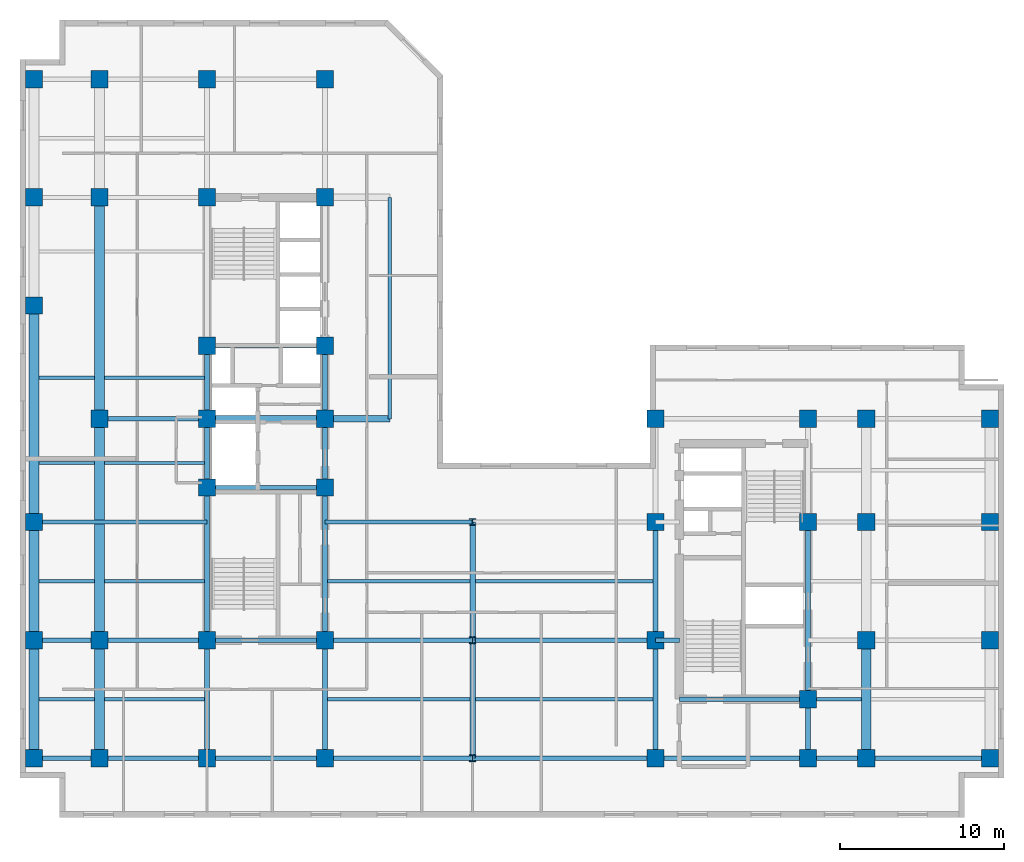
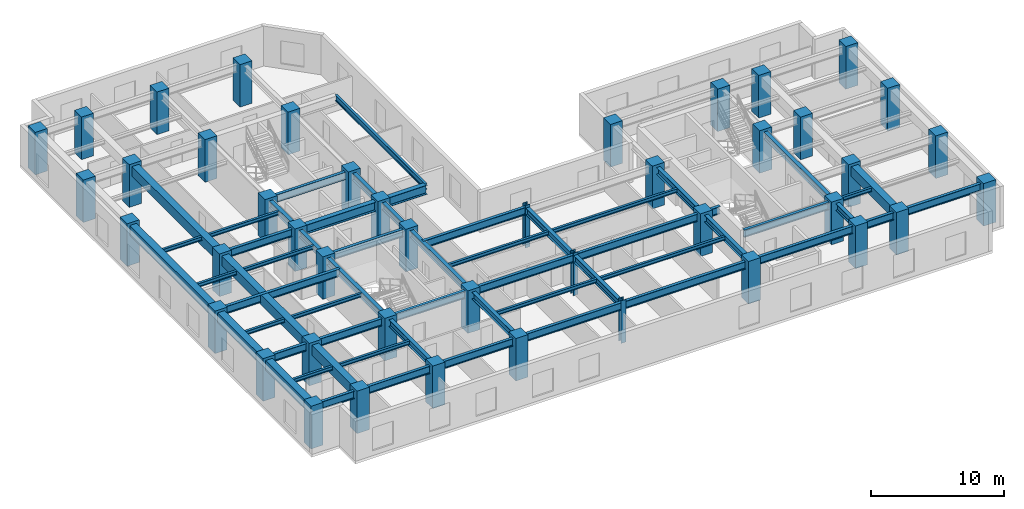
# One storey, part 1 of 10: 56 beams, 44 columns.
"""IFC4 building model written with IfcOpenShell, lengths in metres."""

import ifcopenshell
import ifcopenshell.guid

model = None  # the IFC model being written
_history = None  # IfcOwnerHistory: only IFC2X3 demands one
_inside = {}  # id of a spatial element -> (the spatial element, [elements in it])
_under = {}  # id of a project, library or spatial element -> (it, [spatial elements below it])
_declared = {}  # id of a project -> (the project, [libraries it declares])
_typed = {}  # id of a type object -> (the type object, [elements of that type])
_made_of = {}  # id of a material, layer set ... -> (it, [elements and type objects made of it])


def new_model(schema):
    """Start an empty IFC model of exactly this schema.

    Asked for "IFC4X3", IfcOpenShell would pick the latest addendum, in which some entities
    have other attributes; the version numbers below select the first issue.
    IFC2X3 requires an IfcOwnerHistory on every rooted entity: one is made here for all.
    """
    global model, _history
    if schema == "IFC4X3":
        model = ifcopenshell.file(schema_version=(4, 3, 0, 0))
    else:
        model = ifcopenshell.file(schema=schema)
    _inside.clear()
    _under.clear()
    _declared.clear()
    _typed.clear()
    _made_of.clear()
    _history = None
    if model.schema == "IFC2X3":
        org = make("IfcOrganization", Name="unknown")
        user = make(
            "IfcPersonAndOrganization",
            ThePerson=make("IfcPerson", FamilyName="unknown"),
            TheOrganization=org,
        )
        app = make(
            "IfcApplication",
            ApplicationDeveloper=org,
            Version="unknown",
            ApplicationFullName="unknown",
            ApplicationIdentifier="unknown",
        )
        _history = make(
            "IfcOwnerHistory",
            OwningUser=user,
            OwningApplication=app,
            ChangeAction="ADDED",
            CreationDate=0,
        )
    return model


def make(cls, **values):
    """One entity of the class cls with the attributes given. An attribute that is None is left unset."""
    return model.create_entity(
        cls, **{name: value for name, value in values.items() if value is not None}
    )


def entity(cls, *values):
    """Any entity or typed value of the class cls, its attributes in the order of the schema. None: left unset."""
    e = model.create_entity(cls)
    for i, value in enumerate(values):
        if value is not None:
            e[i] = value
    return e


def rooted(cls, **values):
    """An entity with a GlobalId (a new one), such as an element, a storey or a relation."""
    return make(cls, GlobalId=ifcopenshell.guid.new(), OwnerHistory=_history, **values)


def si_unit(unit_type, name, prefix=None):
    """IfcSIUnit, for example si_unit("LENGTHUNIT", "METRE", prefix="MILLI")."""
    return make("IfcSIUnit", UnitType=unit_type, Prefix=prefix, Name=name)


def converted_unit(unit_type, name, factor, base, dimensions=None, offset=None):
    """IfcConversionBasedUnit, such as the inch: factor (a typed value) times the base unit."""
    return make(
        "IfcConversionBasedUnit"
        if offset is None
        else "IfcConversionBasedUnitWithOffset",
        ConversionOffset=offset,
        Dimensions=None
        if dimensions is None
        else entity("IfcDimensionalExponents", *dimensions),
        UnitType=unit_type,
        Name=name,
        ConversionFactor=make(
            "IfcMeasureWithUnit", ValueComponent=factor, UnitComponent=base
        ),
    )


def assignment(units):
    """IfcUnitAssignment: the units of a project."""
    return None if units is None else make("IfcUnitAssignment", Units=units)


def point(xyz):
    """IfcCartesianPoint."""
    return None if xyz is None else make("IfcCartesianPoint", Coordinates=xyz)


def direction(xyz):
    """IfcDirection."""
    return None if xyz is None else make("IfcDirection", DirectionRatios=xyz)


def frame(location, z_axis=None, x_axis=None):
    """IfcAxis2Placement3D, a coordinate frame: its origin and axes. An axis left out is left unset."""
    return make(
        "IfcAxis2Placement3D",
        Location=point(location),
        Axis=direction(z_axis),
        RefDirection=direction(x_axis),
    )


def frame_2d(location, x_axis=None):
    """IfcAxis2Placement2D, a coordinate frame in the plane: its origin and x axis."""
    return make(
        "IfcAxis2Placement2D", Location=point(location), RefDirection=direction(x_axis)
    )


def origin_with_axes():
    """The frame at (0, 0, 0) with the z axis (0, 0, 1) and the x axis (1, 0, 0) written out."""
    return frame((0.0, 0.0, 0.0), z_axis=(0.0, 0.0, 1.0), x_axis=(1.0, 0.0, 0.0))


def origin_2d_with_axis():
    """The frame at (0, 0) in the plane with the x axis (1, 0) written out."""
    return frame_2d((0.0, 0.0), x_axis=(1.0, 0.0))


def place(relative_to, where):
    """IfcLocalPlacement: puts the frame where relative to a parent placement (None: the world)."""
    return make(
        "IfcLocalPlacement", PlacementRelTo=relative_to, RelativePlacement=where
    )


def context(
    kind, dimensions, precision=None, world=None, true_north=None, identifier=None
):
    """IfcGeometricRepresentationContext, for example the 3D "Model" context."""
    return make(
        "IfcGeometricRepresentationContext",
        ContextIdentifier=identifier,
        ContextType=kind,
        CoordinateSpaceDimension=dimensions,
        Precision=precision,
        WorldCoordinateSystem=world,
        TrueNorth=true_north,
    )


def subcontext(parent, identifier, kind, view, scale=None):
    """IfcGeometricRepresentationSubContext, for example "Body" below "Model"."""
    return make(
        "IfcGeometricRepresentationSubContext",
        ContextIdentifier=identifier,
        ContextType=kind,
        ParentContext=parent,
        TargetScale=scale,
        TargetView=view,
    )


def project(units=None, contexts=None):
    """IfcProject with its units and contexts."""
    return rooted(
        "IfcProject",
        Name="project",
        RepresentationContexts=contexts,
        UnitsInContext=assignment(units),
    )


def spatial(cls, under=None, at=None, **own):
    """A site, building, storey or space (cls), placed at a placement, below another one or the project."""
    s = rooted(cls, ObjectPlacement=at, **own)
    if under is not None:
        _under.setdefault(under.id(), (under, []))[1].append(s)
    return s


def profile(cls, at=None, kind="AREA", **sizes):
    """A parametric profile (cls). Its sizes go by their IFC names, for example OverallWidth=200.0."""
    return make(cls, ProfileType=kind, Position=at, **sizes)


def rectangle(**sizes):
    """IfcRectangleProfileDef."""
    return profile("IfcRectangleProfileDef", **sizes)


def i_section(**sizes):
    """IfcIShapeProfileDef."""
    return profile("IfcIShapeProfileDef", **sizes)


def extrude(swept, where, along, depth):
    """IfcExtrudedAreaSolid: the profile swept, set in the frame where, extruded along a direction by depth."""
    return make(
        "IfcExtrudedAreaSolid",
        SweptArea=swept,
        Position=where,
        ExtrudedDirection=direction(along),
        Depth=depth,
    )


def shape(context_of_items, identifier, shape_type, items):
    """IfcShapeRepresentation: the items that make up one representation, for example the "Body"."""
    return make(
        "IfcShapeRepresentation",
        ContextOfItems=context_of_items,
        RepresentationIdentifier=identifier,
        RepresentationType=shape_type,
        Items=items,
    )


def material(Name=None, Category=None):
    """IfcMaterial."""
    return make("IfcMaterial", Name=Name, Category=Category)


def material_profile(
    of_material, cross_section, Name=None, Category=None, Priority=None
):
    """IfcMaterialProfile: a cross section and its material."""
    return make(
        "IfcMaterialProfile",
        Name=Name,
        Material=of_material,
        Profile=cross_section,
        Priority=Priority,
        Category=Category,
    )


def profile_set(profiles, Name=None, composite=None):
    """IfcMaterialProfileSet."""
    return make(
        "IfcMaterialProfileSet",
        Name=Name,
        MaterialProfiles=profiles,
        CompositeProfile=composite,
    )


def made_of(thing, what):
    """Note that an element or type object is made of a material, layer set ...; save() writes the relation."""
    if what is not None:
        _made_of.setdefault(what.id(), (what, []))[1].append(thing)
    return thing


def type_object(cls, material=None, **own):
    """A type object (cls), such as IfcWallType, which elements share."""
    return made_of(rooted(cls, **own), material)


def element(
    cls,
    number,
    at=None,
    inside=None,
    cuts=None,
    type_object=None,
    material=None,
    context=None,
    identifier="Body",
    shape_type=None,
    held_by="IfcProductDefinitionShape",
    body=None,
    shapes=None,
    **own,
):
    """One element of the class cls, such as IfcWall. Its Tag is "e" and its number.

    at: its placement. inside: the storey or other place that contains it. cuts: it is an
    opening in that element (IfcRelVoidsElement). A single representation is given by context,
    identifier, shape_type and body (its items); several are given by shapes. held_by: the class
    of the entity that holds the representations. save() writes the other relations.
    """
    e = rooted(cls, Tag="e%d" % number, ObjectPlacement=at, **own)
    if body is not None:
        shapes = [shape(context, identifier, shape_type, body)]
    if shapes is not None:
        e.Representation = make(held_by, Representations=shapes)
    if inside is not None:
        _inside.setdefault(inside.id(), (inside, []))[1].append(e)
    if cuts is not None:
        rooted(
            "IfcRelVoidsElement", RelatingBuildingElement=cuts, RelatedOpeningElement=e
        )
    if type_object is not None:
        _typed.setdefault(type_object.id(), (type_object, []))[1].append(e)
    return made_of(e, material)


def aggregate(whole, parts):
    """IfcRelAggregates: a whole, such as a stair, and the parts it consists of."""
    return rooted("IfcRelAggregates", RelatingObject=whole, RelatedObjects=parts)


def save(model, path):
    """Write the relations noted so far, then the file.

    IfcRelAggregates (storeys below a building ...), IfcRelContainedInSpatialStructure (elements
    in a storey), IfcRelDefinesByType, IfcRelAssociatesMaterial and IfcRelDeclares: one each for
    every whole, place, type object, material and project.
    """
    for whole, parts in _under.values():
        aggregate(whole, parts)
    for where, things in _inside.values():
        rooted(
            "IfcRelContainedInSpatialStructure",
            RelatedElements=things,
            RelatingStructure=where,
        )
    for kind, things in _typed.values():
        rooted("IfcRelDefinesByType", RelatedObjects=things, RelatingType=kind)
    for what, things in _made_of.values():
        rooted("IfcRelAssociatesMaterial", RelatedObjects=things, RelatingMaterial=what)
    for by, libraries in _declared.values():
        rooted("IfcRelDeclares", RelatingContext=by, RelatedDefinitions=libraries)
    model.write(path)


model = new_model("IFC4")

# Units and contexts
model_context = context("Model", 3, precision=1e-05, world=origin_with_axes(), true_north=direction((0.0, 1.0)))
body_context = subcontext(model_context, "Body", "Model", "MODEL_VIEW")
ifc_project = project(units=[si_unit("LENGTHUNIT", "METRE"), si_unit("AREAUNIT", "SQUARE_METRE"), si_unit("VOLUMEUNIT", "CUBIC_METRE"), converted_unit("PLANEANGLEUNIT", "DEGREE", entity("IfcPlaneAngleMeasure", 0.017453292519943295), si_unit("PLANEANGLEUNIT", "RADIAN"), dimensions=[0, 0, 0, 0, 0, 0, 0]), si_unit("MASSUNIT", "GRAM", prefix="KILO"), si_unit("THERMODYNAMICTEMPERATUREUNIT", "KELVIN")], contexts=[model_context])

# Site, building, storey
site_placement = place(None, origin_with_axes())
site = spatial("IfcSite", under=ifc_project, at=site_placement, CompositionType="ELEMENT")
building_placement = place(site_placement, origin_with_axes())
building = spatial("IfcBuilding", under=site, at=building_placement, Name="Varnlund Millrace Tower", CompositionType="ELEMENT")
storey_placement = place(building_placement, frame((0.0, 0.0, 179.7), z_axis=(0.0, 0.0, 1.0), x_axis=(1.0, 0.0, 0.0)))
storey = spatial("IfcBuildingStorey", under=building, at=storey_placement, Name="L44", CompositionType="ELEMENT", Elevation=179.7)

# Columns
ifc_material_1 = material(Name="Steel ASTM A913 Grade 65", Category="steel")
ifc_material_profile_1 = material_profile(ifc_material_1, i_section(OverallWidth=0.406, OverallDepth=0.416, WebThickness=0.0298, FlangeThickness=0.048, FilletRadius=0.022, at=origin_2d_with_axis()), Name="Steel ASTM A913 Grade 65")
ifc_profile_set_1 = profile_set([ifc_material_profile_1], Name="Steel ASTM A913 Grade 65")
column_type_1 = type_object("IfcColumnType", Name="Type-Col-Int-W14X257", PredefinedType="COLUMN", material=ifc_profile_set_1)
for number, where, z_axis, x_axis, name in (
    (1, (27.6, 3.6, 0.0), (0.0, 0.0, 1.0), (1.0, 0.0, 0.0), "Type-Col-Int-W14X257"),
    (2, (27.6, 10.8, 0.0), (0.0, 0.0, 1.0), (1.0, 0.0, 0.0), "Type-Col-Int-W14X257"),
    (3, (27.6, 18.0, 0.0), (0.0, 0.0, 1.0), (1.0, 0.0, 0.0), "Type-Col-Int-W14X257"),
):
    element("IfcColumn", number, at=place(storey_placement, frame(where, z_axis=z_axis, x_axis=x_axis)), inside=storey, type_object=column_type_1, Name=name, PredefinedType="COLUMN", context=body_context, shape_type="SweptSolid", body=[
        extrude(i_section(OverallWidth=0.406, OverallDepth=0.416, WebThickness=0.0298, FlangeThickness=0.048, FilletRadius=0.022, at=origin_2d_with_axis()), origin_with_axes(), (0.0, 0.0, 1.0), 3.9),
    ])
ifc_material_2 = material(Name="Concrete C70/85", Category="concrete")
ifc_material_profile_2 = material_profile(ifc_material_2, rectangle(XDim=1.05, YDim=1.05, at=origin_2d_with_axis()), Name="Concrete C70/85")
ifc_profile_set_2 = profile_set([ifc_material_profile_2], Name="Concrete C70/85")
column_type_2 = type_object("IfcColumnType", Name="Type-Col-RC1050-C70", PredefinedType="COLUMN", material=ifc_profile_set_2)
for number, where, z_axis, x_axis, name in (
    (4, (11.4, 3.6, 0.0), (0.0, 0.0, 1.0), (1.0, 0.0, 0.0), "Type-Col-RC1050-C70"),
    (5, (11.4, 10.8, 0.0), (0.0, 0.0, 1.0), (1.0, 0.0, 0.0), "Type-Col-RC1050-C70"),
    (6, (11.4, 20.1, 0.0), (0.0, 0.0, 1.0), (1.0, 0.0, 0.0), "Type-Col-RC1050-C70"),
    (7, (11.4, 24.3, 0.0), (0.0, 0.0, 1.0), (1.0, 0.0, 0.0), "Type-Col-RC1050-C70"),
    (8, (11.4, 28.75, 0.0), (0.0, 0.0, 1.0), (1.0, 0.0, 0.0), "Type-Col-RC1050-C70"),
    (9, (11.4, 37.8, 0.0), (0.0, 0.0, 1.0), (1.0, 0.0, 0.0), "Type-Col-RC1050-C70"),
    (10, (11.4, 45.0, 0.0), (0.0, 0.0, 1.0), (1.0, 0.0, 0.0), "Type-Col-RC1050-C70"),
    (11, (18.6, 3.6, 0.0), (0.0, 0.0, 1.0), (1.0, 0.0, 0.0), "Type-Col-RC1050-C70"),
    (12, (18.6, 10.8, 0.0), (0.0, 0.0, 1.0), (1.0, 0.0, 0.0), "Type-Col-RC1050-C70"),
    (13, (18.6, 20.1, 0.0), (0.0, 0.0, 1.0), (1.0, 0.0, 0.0), "Type-Col-RC1050-C70"),
    (14, (18.6, 24.3, 0.0), (0.0, 0.0, 1.0), (1.0, 0.0, 0.0), "Type-Col-RC1050-C70"),
    (15, (18.6, 28.75, 0.0), (0.0, 0.0, 1.0), (1.0, 0.0, 0.0), "Type-Col-RC1050-C70"),
    (16, (18.6, 37.8, 0.0), (0.0, 0.0, 1.0), (1.0, 0.0, 0.0), "Type-Col-RC1050-C70"),
    (17, (18.6, 45.0, 0.0), (0.0, 0.0, 1.0), (1.0, 0.0, 0.0), "Type-Col-RC1050-C70"),
    (18, (4.85, 3.6, 0.0), (0.0, 0.0, 1.0), (1.0, 0.0, 0.0), "Type-Col-RC1050-C70"),
    (19, (4.85, 10.8, 0.0), (0.0, 0.0, 1.0), (1.0, 0.0, 0.0), "Type-Col-RC1050-C70"),
    (20, (4.85, 24.3, 0.0), (0.0, 0.0, 1.0), (1.0, 0.0, 0.0), "Type-Col-RC1050-C70"),
    (21, (4.85, 37.8, 0.0), (0.0, 0.0, 1.0), (1.0, 0.0, 0.0), "Type-Col-RC1050-C70"),
    (22, (4.85, 45.0, 0.0), (0.0, 0.0, 1.0), (1.0, 0.0, 0.0), "Type-Col-RC1050-C70"),
    (23, (0.85, 3.6, 0.0), (0.0, 0.0, 1.0), (1.0, 0.0, 0.0), "Type-Col-RC1050-C70"),
    (24, (0.85, 10.8, 0.0), (0.0, 0.0, 1.0), (1.0, 0.0, 0.0), "Type-Col-RC1050-C70"),
    (25, (0.85, 18.0, 0.0), (0.0, 0.0, 1.0), (1.0, 0.0, 0.0), "Type-Col-RC1050-C70"),
    (26, (0.85, 31.2, 0.0), (0.0, 0.0, 1.0), (1.0, 0.0, 0.0), "Type-Col-RC1050-C70"),
    (27, (0.85, 37.8, 0.0), (0.0, 0.0, 1.0), (1.0, 0.0, 0.0), "Type-Col-RC1050-C70"),
    (28, (0.85, 45.0, 0.0), (0.0, 0.0, 1.0), (1.0, 0.0, 0.0), "Type-Col-RC1050-C70"),
    (29, (38.75, 3.6, 0.0), (0.0, 0.0, 1.0), (1.0, 0.0, 0.0), "Type-Col-RC1050-C70"),
    (30, (38.75, 10.8, 0.0), (0.0, 0.0, 1.0), (1.0, 0.0, 0.0), "Type-Col-RC1050-C70"),
    (31, (38.75, 18.0, 0.0), (0.0, 0.0, 1.0), (1.0, 0.0, 0.0), "Type-Col-RC1050-C70"),
    (32, (38.75, 24.3, 0.0), (0.0, 0.0, 1.0), (1.0, 0.0, 0.0), "Type-Col-RC1050-C70"),
    (33, (48.05, 3.6, 0.0), (0.0, 0.0, 1.0), (1.0, 0.0, 0.0), "Type-Col-RC1050-C70"),
    (34, (48.05, 7.2, 0.0), (0.0, 0.0, 1.0), (1.0, 0.0, 0.0), "Type-Col-RC1050-C70"),
    (35, (48.05, 18.0, 0.0), (0.0, 0.0, 1.0), (1.0, 0.0, 0.0), "Type-Col-RC1050-C70"),
    (36, (48.05, 24.3, 0.0), (0.0, 0.0, 1.0), (1.0, 0.0, 0.0), "Type-Col-RC1050-C70"),
    (37, (51.6, 3.6, 0.0), (0.0, 0.0, 1.0), (1.0, 0.0, 0.0), "Type-Col-RC1050-C70"),
    (38, (51.6, 10.8, 0.0), (0.0, 0.0, 1.0), (1.0, 0.0, 0.0), "Type-Col-RC1050-C70"),
    (39, (51.6, 18.0, 0.0), (0.0, 0.0, 1.0), (1.0, 0.0, 0.0), "Type-Col-RC1050-C70"),
    (40, (51.6, 24.3, 0.0), (0.0, 0.0, 1.0), (1.0, 0.0, 0.0), "Type-Col-RC1050-C70"),
    (41, (59.15, 3.6, 0.0), (0.0, 0.0, 1.0), (1.0, 0.0, 0.0), "Type-Col-RC1050-C70"),
    (42, (59.15, 10.8, 0.0), (0.0, 0.0, 1.0), (1.0, 0.0, 0.0), "Type-Col-RC1050-C70"),
    (43, (59.15, 18.0, 0.0), (0.0, 0.0, 1.0), (1.0, 0.0, 0.0), "Type-Col-RC1050-C70"),
    (44, (59.15, 24.3, 0.0), (0.0, 0.0, 1.0), (1.0, 0.0, 0.0), "Type-Col-RC1050-C70"),
):
    element("IfcColumn", number, at=place(storey_placement, frame(where, z_axis=z_axis, x_axis=x_axis)), inside=storey, type_object=column_type_2, Name=name, PredefinedType="COLUMN", context=body_context, shape_type="SweptSolid", body=[
        extrude(rectangle(XDim=1.05, YDim=1.05, at=origin_2d_with_axis()), origin_with_axes(), (0.0, 0.0, 1.0), 3.9),
    ])

# Beams
ifc_material_3 = material(Name="Steel ASTM A992 Grade 50", Category="steel")
ifc_material_profile_3 = material_profile(ifc_material_3, i_section(OverallWidth=0.209, OverallDepth=0.533, WebThickness=0.0102, FlangeThickness=0.0156, FilletRadius=0.014, at=origin_2d_with_axis()), Name="Steel ASTM A992 Grade 50")
ifc_profile_set_3 = profile_set([ifc_material_profile_3], Name="Steel ASTM A992 Grade 50")
beam_type_1 = type_object("IfcBeamType", Name="Type-Beam-W21X62", PredefinedType="BEAM", material=ifc_profile_set_3)
beam_1_placement = place(storey_placement, frame((22.55, 24.3, 3.3935), z_axis=(0.0, 1.0, 0.0), x_axis=(-1.0, 0.0, 0.0)))
element("IfcBeam", 45, at=beam_1_placement, inside=storey, type_object=beam_type_1, Name="Type-Beam-W21X62", PredefinedType="BEAM", context=body_context, shape_type="SweptSolid", body=[
    extrude(i_section(OverallWidth=0.209, OverallDepth=0.533, WebThickness=0.0102, FlangeThickness=0.0156, FilletRadius=0.014, at=origin_2d_with_axis()), origin_with_axes(), (0.0, 0.0, 1.0), 13.5),
])
ifc_material_profile_4 = material_profile(ifc_material_3, i_section(OverallWidth=0.328, OverallDepth=0.628, WebThickness=0.0165, FlangeThickness=0.0277, FilletRadius=0.018, at=origin_2d_with_axis()), Name="Steel ASTM A992 Grade 50")
ifc_profile_set_4 = profile_set([ifc_material_profile_4], Name="Steel ASTM A992 Grade 50")
beam_type_2 = type_object("IfcBeamType", Name="Type-Girder-W24X146", PredefinedType="USERDEFINED", material=ifc_profile_set_4)
beam_2_placement = place(storey_placement, frame((11.4, 3.6, 3.346), z_axis=(0.0, 1.0, 0.0), x_axis=(-1.0, 0.0, 0.0)))
element("IfcBeam", 46, at=beam_2_placement, inside=storey, type_object=beam_type_2, Name="Type-Girder-W24X146", ObjectType="GIRDER", PredefinedType="USERDEFINED", context=body_context, shape_type="SweptSolid", body=[
    extrude(i_section(OverallWidth=0.328, OverallDepth=0.628, WebThickness=0.0165, FlangeThickness=0.0277, FilletRadius=0.018, at=origin_2d_with_axis()), origin_with_axes(), (0.0, 0.0, 1.0), 7.2),
])
beam_3_placement = place(storey_placement, frame((11.4, 10.8, 3.346), z_axis=(0.0, 1.0, 0.0), x_axis=(-1.0, 0.0, 0.0)))
element("IfcBeam", 47, at=beam_3_placement, inside=storey, type_object=beam_type_2, Name="Type-Girder-W24X146", ObjectType="GIRDER", PredefinedType="USERDEFINED", context=body_context, shape_type="SweptSolid", body=[
    extrude(i_section(OverallWidth=0.328, OverallDepth=0.628, WebThickness=0.0165, FlangeThickness=0.0277, FilletRadius=0.018, at=origin_2d_with_axis()), origin_with_axes(), (0.0, 0.0, 1.0), 9.3),
])
beam_4_placement = place(storey_placement, frame((11.4, 20.1, 3.346), z_axis=(0.0, 1.0, 0.0), x_axis=(-1.0, 0.0, 0.0)))
element("IfcBeam", 48, at=beam_4_placement, inside=storey, type_object=beam_type_2, Name="Type-Girder-W24X146", ObjectType="GIRDER", PredefinedType="USERDEFINED", context=body_context, shape_type="SweptSolid", body=[
    extrude(i_section(OverallWidth=0.328, OverallDepth=0.628, WebThickness=0.0165, FlangeThickness=0.0277, FilletRadius=0.018, at=origin_2d_with_axis()), origin_with_axes(), (0.0, 0.0, 1.0), 4.2),
])
beam_5_placement = place(storey_placement, frame((11.4, 24.3, 3.346), z_axis=(0.0, 1.0, 0.0), x_axis=(-1.0, 0.0, 0.0)))
element("IfcBeam", 49, at=beam_5_placement, inside=storey, type_object=beam_type_2, Name="Type-Girder-W24X146", ObjectType="GIRDER", PredefinedType="USERDEFINED", context=body_context, shape_type="SweptSolid", body=[
    extrude(i_section(OverallWidth=0.328, OverallDepth=0.628, WebThickness=0.0165, FlangeThickness=0.0277, FilletRadius=0.018, at=origin_2d_with_axis()), origin_with_axes(), (0.0, 0.0, 1.0), 4.45),
])
beam_6_placement = place(storey_placement, frame((18.6, 3.6, 3.346), z_axis=(0.0, 1.0, 0.0), x_axis=(-1.0, 0.0, 0.0)))
element("IfcBeam", 50, at=beam_6_placement, inside=storey, type_object=beam_type_2, Name="Type-Girder-W24X146", ObjectType="GIRDER", PredefinedType="USERDEFINED", context=body_context, shape_type="SweptSolid", body=[
    extrude(i_section(OverallWidth=0.328, OverallDepth=0.628, WebThickness=0.0165, FlangeThickness=0.0277, FilletRadius=0.018, at=origin_2d_with_axis()), origin_with_axes(), (0.0, 0.0, 1.0), 7.2),
])
beam_7_placement = place(storey_placement, frame((18.6, 10.8, 3.346), z_axis=(0.0, 1.0, 0.0), x_axis=(-1.0, 0.0, 0.0)))
element("IfcBeam", 51, at=beam_7_placement, inside=storey, type_object=beam_type_2, Name="Type-Girder-W24X146", ObjectType="GIRDER", PredefinedType="USERDEFINED", context=body_context, shape_type="SweptSolid", body=[
    extrude(i_section(OverallWidth=0.328, OverallDepth=0.628, WebThickness=0.0165, FlangeThickness=0.0277, FilletRadius=0.018, at=origin_2d_with_axis()), origin_with_axes(), (0.0, 0.0, 1.0), 9.3),
])
beam_8_placement = place(storey_placement, frame((18.6, 20.1, 3.346), z_axis=(0.0, 1.0, 0.0), x_axis=(-1.0, 0.0, 0.0)))
element("IfcBeam", 52, at=beam_8_placement, inside=storey, type_object=beam_type_2, Name="Type-Girder-W24X146", ObjectType="GIRDER", PredefinedType="USERDEFINED", context=body_context, shape_type="SweptSolid", body=[
    extrude(i_section(OverallWidth=0.328, OverallDepth=0.628, WebThickness=0.0165, FlangeThickness=0.0277, FilletRadius=0.018, at=origin_2d_with_axis()), origin_with_axes(), (0.0, 0.0, 1.0), 4.2),
])
beam_9_placement = place(storey_placement, frame((18.6, 24.3, 3.346), z_axis=(0.0, 1.0, 0.0), x_axis=(-1.0, 0.0, 0.0)))
element("IfcBeam", 53, at=beam_9_placement, inside=storey, type_object=beam_type_2, Name="Type-Girder-W24X146", ObjectType="GIRDER", PredefinedType="USERDEFINED", context=body_context, shape_type="SweptSolid", body=[
    extrude(i_section(OverallWidth=0.328, OverallDepth=0.628, WebThickness=0.0165, FlangeThickness=0.0277, FilletRadius=0.018, at=origin_2d_with_axis()), origin_with_axes(), (0.0, 0.0, 1.0), 4.45),
])
for number, where, z_axis, x_axis, name in (
    (54, (27.6, 3.6, 3.346), (0.0, 1.0, 0.0), (-1.0, 0.0, 0.0), "Type-Girder-W24X146"),
    (55, (27.6, 10.8, 3.346), (0.0, 1.0, 0.0), (-1.0, 0.0, 0.0), "Type-Girder-W24X146"),
    (56, (38.75, 3.6, 3.346), (0.0, 1.0, 0.0), (-1.0, 0.0, 0.0), "Type-Girder-W24X146"),
    (57, (38.75, 10.8, 3.346), (0.0, 1.0, 0.0), (-1.0, 0.0, 0.0), "Type-Girder-W24X146"),
):
    element("IfcBeam", number, at=place(storey_placement, frame(where, z_axis=z_axis, x_axis=x_axis)), inside=storey, type_object=beam_type_2, Name=name, ObjectType="GIRDER", PredefinedType="USERDEFINED", context=body_context, shape_type="SweptSolid", body=[
        extrude(i_section(OverallWidth=0.328, OverallDepth=0.628, WebThickness=0.0165, FlangeThickness=0.0277, FilletRadius=0.018, at=origin_2d_with_axis()), origin_with_axes(), (0.0, 0.0, 1.0), 7.2),
    ])
beam_10_placement = place(storey_placement, frame((48.05, 3.6, 3.346), z_axis=(0.0, 1.0, 0.0), x_axis=(-1.0, 0.0, 0.0)))
element("IfcBeam", 58, at=beam_10_placement, inside=storey, type_object=beam_type_2, Name="Type-Girder-W24X146", ObjectType="GIRDER", PredefinedType="USERDEFINED", context=body_context, shape_type="SweptSolid", body=[
    extrude(i_section(OverallWidth=0.328, OverallDepth=0.628, WebThickness=0.0165, FlangeThickness=0.0277, FilletRadius=0.018, at=origin_2d_with_axis()), origin_with_axes(), (0.0, 0.0, 1.0), 3.6),
])
beam_11_placement = place(storey_placement, frame((48.05, 7.2, 3.346), z_axis=(0.0, 1.0, 0.0), x_axis=(-1.0, 0.0, 0.0)))
element("IfcBeam", 59, at=beam_11_placement, inside=storey, type_object=beam_type_2, Name="Type-Girder-W24X146", ObjectType="GIRDER", PredefinedType="USERDEFINED", context=body_context, shape_type="SweptSolid", body=[
    extrude(i_section(OverallWidth=0.328, OverallDepth=0.628, WebThickness=0.0165, FlangeThickness=0.0277, FilletRadius=0.018, at=origin_2d_with_axis()), origin_with_axes(), (0.0, 0.0, 1.0), 10.8),
])
ifc_material_profile_5 = material_profile(ifc_material_3, i_section(OverallWidth=0.256, OverallDepth=0.693, WebThickness=0.0145, FlangeThickness=0.0236, FilletRadius=0.018, at=origin_2d_with_axis()), Name="Steel ASTM A992 Grade 50")
ifc_profile_set_5 = profile_set([ifc_material_profile_5], Name="Steel ASTM A992 Grade 50")
beam_type_3 = type_object("IfcBeamType", Name="Type-Girder-W27X114", PredefinedType="USERDEFINED", material=ifc_profile_set_5)
beam_12_placement = place(storey_placement, frame((0.85, 3.6, 3.3135), z_axis=(1.0, 0.0, 0.0), x_axis=(0.0, 1.0, 0.0)))
element("IfcBeam", 60, at=beam_12_placement, inside=storey, type_object=beam_type_3, Name="Type-Girder-W27X114", ObjectType="GIRDER", PredefinedType="USERDEFINED", context=body_context, shape_type="SweptSolid", body=[
    extrude(i_section(OverallWidth=0.256, OverallDepth=0.693, WebThickness=0.0145, FlangeThickness=0.0236, FilletRadius=0.018, at=origin_2d_with_axis()), origin_with_axes(), (0.0, 0.0, 1.0), 4.0),
])
beam_13_placement = place(storey_placement, frame((4.85, 3.6, 3.3135), z_axis=(1.0, 0.0, 0.0), x_axis=(0.0, 1.0, 0.0)))
element("IfcBeam", 61, at=beam_13_placement, inside=storey, type_object=beam_type_3, Name="Type-Girder-W27X114", ObjectType="GIRDER", PredefinedType="USERDEFINED", context=body_context, shape_type="SweptSolid", body=[
    extrude(i_section(OverallWidth=0.256, OverallDepth=0.693, WebThickness=0.0145, FlangeThickness=0.0236, FilletRadius=0.018, at=origin_2d_with_axis()), origin_with_axes(), (0.0, 0.0, 1.0), 6.55),
])
beam_14_placement = place(storey_placement, frame((11.4, 3.6, 3.3135), z_axis=(1.0, 0.0, 0.0), x_axis=(0.0, 1.0, 0.0)))
element("IfcBeam", 62, at=beam_14_placement, inside=storey, type_object=beam_type_3, Name="Type-Girder-W27X114", ObjectType="GIRDER", PredefinedType="USERDEFINED", context=body_context, shape_type="SweptSolid", body=[
    extrude(i_section(OverallWidth=0.256, OverallDepth=0.693, WebThickness=0.0145, FlangeThickness=0.0236, FilletRadius=0.018, at=origin_2d_with_axis()), origin_with_axes(), (0.0, 0.0, 1.0), 7.2),
])
beam_15_placement = place(storey_placement, frame((18.6, 3.6, 3.3135), z_axis=(1.0, 0.0, 0.0), x_axis=(0.0, 1.0, 0.0)))
element("IfcBeam", 63, at=beam_15_placement, inside=storey, type_object=beam_type_3, Name="Type-Girder-W27X114", ObjectType="GIRDER", PredefinedType="USERDEFINED", context=body_context, shape_type="SweptSolid", body=[
    extrude(i_section(OverallWidth=0.256, OverallDepth=0.693, WebThickness=0.0145, FlangeThickness=0.0236, FilletRadius=0.018, at=origin_2d_with_axis()), origin_with_axes(), (0.0, 0.0, 1.0), 9.0),
])
beam_16_placement = place(storey_placement, frame((27.6, 3.6, 3.3135), z_axis=(1.0, 0.0, 0.0), x_axis=(0.0, 1.0, 0.0)))
element("IfcBeam", 64, at=beam_16_placement, inside=storey, type_object=beam_type_3, Name="Type-Girder-W27X114", ObjectType="GIRDER", PredefinedType="USERDEFINED", context=body_context, shape_type="SweptSolid", body=[
    extrude(i_section(OverallWidth=0.256, OverallDepth=0.693, WebThickness=0.0145, FlangeThickness=0.0236, FilletRadius=0.018, at=origin_2d_with_axis()), origin_with_axes(), (0.0, 0.0, 1.0), 11.15),
])
beam_17_placement = place(storey_placement, frame((38.75, 3.6, 3.3135), z_axis=(1.0, 0.0, 0.0), x_axis=(0.0, 1.0, 0.0)))
element("IfcBeam", 65, at=beam_17_placement, inside=storey, type_object=beam_type_3, Name="Type-Girder-W27X114", ObjectType="GIRDER", PredefinedType="USERDEFINED", context=body_context, shape_type="SweptSolid", body=[
    extrude(i_section(OverallWidth=0.256, OverallDepth=0.693, WebThickness=0.0145, FlangeThickness=0.0236, FilletRadius=0.018, at=origin_2d_with_axis()), origin_with_axes(), (0.0, 0.0, 1.0), 9.3),
])
beam_18_placement = place(storey_placement, frame((48.05, 3.6, 3.3135), z_axis=(1.0, 0.0, 0.0), x_axis=(0.0, 1.0, 0.0)))
element("IfcBeam", 66, at=beam_18_placement, inside=storey, type_object=beam_type_3, Name="Type-Girder-W27X114", ObjectType="GIRDER", PredefinedType="USERDEFINED", context=body_context, shape_type="SweptSolid", body=[
    extrude(i_section(OverallWidth=0.256, OverallDepth=0.693, WebThickness=0.0145, FlangeThickness=0.0236, FilletRadius=0.018, at=origin_2d_with_axis()), origin_with_axes(), (0.0, 0.0, 1.0), 3.55),
])
beam_19_placement = place(storey_placement, frame((51.6, 3.6, 3.3135), z_axis=(1.0, 0.0, 0.0), x_axis=(0.0, 1.0, 0.0)))
element("IfcBeam", 67, at=beam_19_placement, inside=storey, type_object=beam_type_3, Name="Type-Girder-W27X114", ObjectType="GIRDER", PredefinedType="USERDEFINED", context=body_context, shape_type="SweptSolid", body=[
    extrude(i_section(OverallWidth=0.256, OverallDepth=0.693, WebThickness=0.0145, FlangeThickness=0.0236, FilletRadius=0.018, at=origin_2d_with_axis()), origin_with_axes(), (0.0, 0.0, 1.0), 7.55),
])
beam_20_placement = place(storey_placement, frame((40.2, 7.2, 3.3135), z_axis=(1.0, 0.0, 0.0), x_axis=(0.0, 1.0, 0.0)))
element("IfcBeam", 68, at=beam_20_placement, inside=storey, type_object=beam_type_3, Name="Type-Girder-W27X114", ObjectType="GIRDER", PredefinedType="USERDEFINED", context=body_context, shape_type="SweptSolid", body=[
    extrude(i_section(OverallWidth=0.256, OverallDepth=0.693, WebThickness=0.0145, FlangeThickness=0.0236, FilletRadius=0.018, at=origin_2d_with_axis()), origin_with_axes(), (0.0, 0.0, 1.0), 7.85),
])
beam_21_placement = place(storey_placement, frame((0.85, 10.8, 3.3135), z_axis=(1.0, 0.0, 0.0), x_axis=(0.0, 1.0, 0.0)))
element("IfcBeam", 69, at=beam_21_placement, inside=storey, type_object=beam_type_3, Name="Type-Girder-W27X114", ObjectType="GIRDER", PredefinedType="USERDEFINED", context=body_context, shape_type="SweptSolid", body=[
    extrude(i_section(OverallWidth=0.256, OverallDepth=0.693, WebThickness=0.0145, FlangeThickness=0.0236, FilletRadius=0.018, at=origin_2d_with_axis()), origin_with_axes(), (0.0, 0.0, 1.0), 4.0),
])
beam_22_placement = place(storey_placement, frame((4.85, 10.8, 3.3135), z_axis=(1.0, 0.0, 0.0), x_axis=(0.0, 1.0, 0.0)))
element("IfcBeam", 70, at=beam_22_placement, inside=storey, type_object=beam_type_3, Name="Type-Girder-W27X114", ObjectType="GIRDER", PredefinedType="USERDEFINED", context=body_context, shape_type="SweptSolid", body=[
    extrude(i_section(OverallWidth=0.256, OverallDepth=0.693, WebThickness=0.0145, FlangeThickness=0.0236, FilletRadius=0.018, at=origin_2d_with_axis()), origin_with_axes(), (0.0, 0.0, 1.0), 6.55),
])
beam_23_placement = place(storey_placement, frame((11.4, 10.8, 3.3135), z_axis=(1.0, 0.0, 0.0), x_axis=(0.0, 1.0, 0.0)))
element("IfcBeam", 71, at=beam_23_placement, inside=storey, type_object=beam_type_3, Name="Type-Girder-W27X114", ObjectType="GIRDER", PredefinedType="USERDEFINED", context=body_context, shape_type="SweptSolid", body=[
    extrude(i_section(OverallWidth=0.256, OverallDepth=0.693, WebThickness=0.0145, FlangeThickness=0.0236, FilletRadius=0.018, at=origin_2d_with_axis()), origin_with_axes(), (0.0, 0.0, 1.0), 7.2),
])
beam_24_placement = place(storey_placement, frame((18.6, 10.8, 3.3135), z_axis=(1.0, 0.0, 0.0), x_axis=(0.0, 1.0, 0.0)))
element("IfcBeam", 72, at=beam_24_placement, inside=storey, type_object=beam_type_3, Name="Type-Girder-W27X114", ObjectType="GIRDER", PredefinedType="USERDEFINED", context=body_context, shape_type="SweptSolid", body=[
    extrude(i_section(OverallWidth=0.256, OverallDepth=0.693, WebThickness=0.0145, FlangeThickness=0.0236, FilletRadius=0.018, at=origin_2d_with_axis()), origin_with_axes(), (0.0, 0.0, 1.0), 9.0),
])
beam_25_placement = place(storey_placement, frame((27.6, 10.8, 3.3135), z_axis=(1.0, 0.0, 0.0), x_axis=(0.0, 1.0, 0.0)))
element("IfcBeam", 73, at=beam_25_placement, inside=storey, type_object=beam_type_3, Name="Type-Girder-W27X114", ObjectType="GIRDER", PredefinedType="USERDEFINED", context=body_context, shape_type="SweptSolid", body=[
    extrude(i_section(OverallWidth=0.256, OverallDepth=0.693, WebThickness=0.0145, FlangeThickness=0.0236, FilletRadius=0.018, at=origin_2d_with_axis()), origin_with_axes(), (0.0, 0.0, 1.0), 11.15),
])
beam_26_placement = place(storey_placement, frame((38.75, 10.8, 3.3135), z_axis=(1.0, 0.0, 0.0), x_axis=(0.0, 1.0, 0.0)))
element("IfcBeam", 74, at=beam_26_placement, inside=storey, type_object=beam_type_3, Name="Type-Girder-W27X114", ObjectType="GIRDER", PredefinedType="USERDEFINED", context=body_context, shape_type="SweptSolid", body=[
    extrude(i_section(OverallWidth=0.256, OverallDepth=0.693, WebThickness=0.0145, FlangeThickness=0.0236, FilletRadius=0.018, at=origin_2d_with_axis()), origin_with_axes(), (0.0, 0.0, 1.0), 1.45),
])
beam_27_placement = place(storey_placement, frame((0.85, 18.0, 3.3135), z_axis=(1.0, 0.0, 0.0), x_axis=(0.0, 1.0, 0.0)))
element("IfcBeam", 75, at=beam_27_placement, inside=storey, type_object=beam_type_3, Name="Type-Girder-W27X114", ObjectType="GIRDER", PredefinedType="USERDEFINED", context=body_context, shape_type="SweptSolid", body=[
    extrude(i_section(OverallWidth=0.256, OverallDepth=0.693, WebThickness=0.0145, FlangeThickness=0.0236, FilletRadius=0.018, at=origin_2d_with_axis()), origin_with_axes(), (0.0, 0.0, 1.0), 10.55),
])
beam_28_placement = place(storey_placement, frame((18.6, 18.0, 3.3135), z_axis=(1.0, 0.0, 0.0), x_axis=(0.0, 1.0, 0.0)))
element("IfcBeam", 76, at=beam_28_placement, inside=storey, type_object=beam_type_3, Name="Type-Girder-W27X114", ObjectType="GIRDER", PredefinedType="USERDEFINED", context=body_context, shape_type="SweptSolid", body=[
    extrude(i_section(OverallWidth=0.256, OverallDepth=0.693, WebThickness=0.0145, FlangeThickness=0.0236, FilletRadius=0.018, at=origin_2d_with_axis()), origin_with_axes(), (0.0, 0.0, 1.0), 9.0),
])
beam_29_placement = place(storey_placement, frame((11.4, 20.1, 3.3135), z_axis=(1.0, 0.0, 0.0), x_axis=(0.0, 1.0, 0.0)))
element("IfcBeam", 77, at=beam_29_placement, inside=storey, type_object=beam_type_3, Name="Type-Girder-W27X114", ObjectType="GIRDER", PredefinedType="USERDEFINED", context=body_context, shape_type="SweptSolid", body=[
    extrude(i_section(OverallWidth=0.256, OverallDepth=0.693, WebThickness=0.0145, FlangeThickness=0.0236, FilletRadius=0.018, at=origin_2d_with_axis()), origin_with_axes(), (0.0, 0.0, 1.0), 7.2),
])
beam_30_placement = place(storey_placement, frame((4.85, 24.3, 3.3135), z_axis=(1.0, 0.0, 0.0), x_axis=(0.0, 1.0, 0.0)))
element("IfcBeam", 78, at=beam_30_placement, inside=storey, type_object=beam_type_3, Name="Type-Girder-W27X114", ObjectType="GIRDER", PredefinedType="USERDEFINED", context=body_context, shape_type="SweptSolid", body=[
    extrude(i_section(OverallWidth=0.256, OverallDepth=0.693, WebThickness=0.0145, FlangeThickness=0.0236, FilletRadius=0.018, at=origin_2d_with_axis()), origin_with_axes(), (0.0, 0.0, 1.0), 6.55),
])
beam_31_placement = place(storey_placement, frame((11.4, 28.75, 3.3135), z_axis=(1.0, 0.0, 0.0), x_axis=(0.0, 1.0, 0.0)))
element("IfcBeam", 79, at=beam_31_placement, inside=storey, type_object=beam_type_3, Name="Type-Girder-W27X114", ObjectType="GIRDER", PredefinedType="USERDEFINED", context=body_context, shape_type="SweptSolid", body=[
    extrude(i_section(OverallWidth=0.256, OverallDepth=0.693, WebThickness=0.0145, FlangeThickness=0.0236, FilletRadius=0.018, at=origin_2d_with_axis()), origin_with_axes(), (0.0, 0.0, 1.0), 7.2),
])
ifc_material_profile_6 = material_profile(ifc_material_3, i_section(OverallWidth=0.399, OverallDepth=0.855, WebThickness=0.0182, FlangeThickness=0.0292, FilletRadius=0.022, at=origin_2d_with_axis()), Name="Steel ASTM A992 Grade 50")
ifc_profile_set_6 = profile_set([ifc_material_profile_6], Name="Steel ASTM A992 Grade 50")
beam_type_4 = type_object("IfcBeamType", Name="Type-Girder-W33X201", PredefinedType="USERDEFINED", material=ifc_profile_set_6)
beam_32_placement = place(storey_placement, frame((11.4, 24.3, 3.2325), z_axis=(1.0, 0.0, 0.0), x_axis=(0.0, 1.0, 0.0)))
element("IfcBeam", 80, at=beam_32_placement, inside=storey, type_object=beam_type_4, Name="Type-Girder-W33X201", ObjectType="GIRDER", PredefinedType="USERDEFINED", context=body_context, shape_type="SweptSolid", body=[
    extrude(i_section(OverallWidth=0.399, OverallDepth=0.855, WebThickness=0.0182, FlangeThickness=0.0292, FilletRadius=0.022, at=origin_2d_with_axis()), origin_with_axes(), (0.0, 0.0, 1.0), 11.15),
])
ifc_material_profile_7 = material_profile(ifc_material_3, i_section(OverallWidth=0.204, OverallDepth=0.35, WebThickness=0.0086, FlangeThickness=0.0151, FilletRadius=0.013, at=origin_2d_with_axis()), Name="Steel ASTM A992 Grade 50")
ifc_profile_set_7 = profile_set([ifc_material_profile_7], Name="Steel ASTM A992 Grade 50")
beam_type_5 = type_object("IfcBeamType", Name="Type-Joist-W14X48", PredefinedType="JOIST", material=ifc_profile_set_7)
for number, where, z_axis, x_axis, name in (
    (81, (1.15, 7.2, 3.485), (1.0, 0.0, 0.0), (0.0, 1.0, 0.0), "Type-Joist-W14X48"),
    (82, (1.15, 14.4, 3.485), (1.0, 0.0, 0.0), (0.0, 1.0, 0.0), "Type-Joist-W14X48"),
    (83, (1.15, 21.6, 3.485), (1.0, 0.0, 0.0), (0.0, 1.0, 0.0), "Type-Joist-W14X48"),
    (84, (1.15, 26.8, 3.485), (1.0, 0.0, 0.0), (0.0, 1.0, 0.0), "Type-Joist-W14X48"),
):
    element("IfcBeam", number, at=place(storey_placement, frame(where, z_axis=z_axis, x_axis=x_axis)), inside=storey, type_object=beam_type_5, Name=name, PredefinedType="JOIST", context=body_context, shape_type="SweptSolid", body=[
        extrude(i_section(OverallWidth=0.204, OverallDepth=0.35, WebThickness=0.0086, FlangeThickness=0.0151, FilletRadius=0.013, at=origin_2d_with_axis()), origin_with_axes(), (0.0, 0.0, 1.0), 3.4),
    ])
for number, where, z_axis, x_axis, name in (
    (85, (5.15, 7.2, 3.485), (1.0, 0.0, 0.0), (0.0, 1.0, 0.0), "Type-Joist-W14X48"),
    (86, (5.15, 14.4, 3.485), (1.0, 0.0, 0.0), (0.0, 1.0, 0.0), "Type-Joist-W14X48"),
    (87, (5.15, 21.6, 3.485), (1.0, 0.0, 0.0), (0.0, 1.0, 0.0), "Type-Joist-W14X48"),
    (88, (5.15, 26.8, 3.485), (1.0, 0.0, 0.0), (0.0, 1.0, 0.0), "Type-Joist-W14X48"),
):
    element("IfcBeam", number, at=place(storey_placement, frame(where, z_axis=z_axis, x_axis=x_axis)), inside=storey, type_object=beam_type_5, Name=name, PredefinedType="JOIST", context=body_context, shape_type="SweptSolid", body=[
        extrude(i_section(OverallWidth=0.204, OverallDepth=0.35, WebThickness=0.0086, FlangeThickness=0.0151, FilletRadius=0.013, at=origin_2d_with_axis()), origin_with_axes(), (0.0, 0.0, 1.0), 6.086),
    ])
beam_33_placement = place(storey_placement, frame((48.214, 7.2, 3.485), z_axis=(1.0, 0.0, 0.0), x_axis=(0.0, 1.0, 0.0)))
element("IfcBeam", 89, at=beam_33_placement, inside=storey, type_object=beam_type_5, Name="Type-Joist-W14X48", PredefinedType="JOIST", context=body_context, shape_type="SweptSolid", body=[
    extrude(i_section(OverallWidth=0.204, OverallDepth=0.35, WebThickness=0.0086, FlangeThickness=0.0151, FilletRadius=0.013, at=origin_2d_with_axis()), origin_with_axes(), (0.0, 0.0, 1.0), 3.086),
])
for number, where, z_axis, x_axis, name in (
    (90, (18.764, 7.2, 3.485), (1.0, 0.0, 0.0), (0.0, 1.0, 0.0), "Type-Joist-W14X48"),
    (91, (18.764, 14.4, 3.485), (1.0, 0.0, 0.0), (0.0, 1.0, 0.0), "Type-Joist-W14X48"),
):
    element("IfcBeam", number, at=place(storey_placement, frame(where, z_axis=z_axis, x_axis=x_axis)), inside=storey, type_object=beam_type_5, Name=name, PredefinedType="JOIST", context=body_context, shape_type="SweptSolid", body=[
        extrude(i_section(OverallWidth=0.204, OverallDepth=0.35, WebThickness=0.0086, FlangeThickness=0.0151, FilletRadius=0.013, at=origin_2d_with_axis()), origin_with_axes(), (0.0, 0.0, 1.0), 8.672),
    ])
for number, where, z_axis, x_axis, name in (
    (92, (27.764, 7.2, 3.485), (1.0, 0.0, 0.0), (0.0, 1.0, 0.0), "Type-Joist-W14X48"),
    (93, (27.764, 14.4, 3.485), (1.0, 0.0, 0.0), (0.0, 1.0, 0.0), "Type-Joist-W14X48"),
):
    element("IfcBeam", number, at=place(storey_placement, frame(where, z_axis=z_axis, x_axis=x_axis)), inside=storey, type_object=beam_type_5, Name=name, PredefinedType="JOIST", context=body_context, shape_type="SweptSolid", body=[
        extrude(i_section(OverallWidth=0.204, OverallDepth=0.35, WebThickness=0.0086, FlangeThickness=0.0151, FilletRadius=0.013, at=origin_2d_with_axis()), origin_with_axes(), (0.0, 0.0, 1.0), 10.822),
    ])
ifc_material_profile_8 = material_profile(ifc_material_2, rectangle(XDim=0.6, YDim=0.9, at=origin_2d_with_axis()), Name="Concrete C70/85")
ifc_profile_set_8 = profile_set([ifc_material_profile_8], Name="Concrete C70/85")
beam_type_6 = type_object("IfcBeamType", Name="Type-Spandrel-RC600X900", PredefinedType="SPANDREL", material=ifc_profile_set_8)
for number, where, z_axis, x_axis, name in (
    (94, (0.85, 3.6, 3.21), (0.0, 1.0, 0.0), (-1.0, 0.0, 0.0), "Type-Spandrel-RC600X900"),
    (95, (0.85, 10.8, 3.21), (0.0, 1.0, 0.0), (-1.0, 0.0, 0.0), "Type-Spandrel-RC600X900"),
):
    element("IfcBeam", number, at=place(storey_placement, frame(where, z_axis=z_axis, x_axis=x_axis)), inside=storey, type_object=beam_type_6, Name=name, PredefinedType="SPANDREL", context=body_context, shape_type="SweptSolid", body=[
        extrude(rectangle(XDim=0.6, YDim=0.9, at=origin_2d_with_axis()), origin_with_axes(), (0.0, 0.0, 1.0), 7.2),
    ])
beam_34_placement = place(storey_placement, frame((0.85, 18.0, 3.21), z_axis=(0.0, 1.0, 0.0), x_axis=(-1.0, 0.0, 0.0)))
element("IfcBeam", 96, at=beam_34_placement, inside=storey, type_object=beam_type_6, Name="Type-Spandrel-RC600X900", PredefinedType="SPANDREL", context=body_context, shape_type="SweptSolid", body=[
    extrude(rectangle(XDim=0.6, YDim=0.9, at=origin_2d_with_axis()), origin_with_axes(), (0.0, 0.0, 1.0), 13.2),
])
beam_35_placement = place(storey_placement, frame((4.85, 3.6, 3.21), z_axis=(0.0, 1.0, 0.0), x_axis=(-1.0, 0.0, 0.0)))
element("IfcBeam", 97, at=beam_35_placement, inside=storey, type_object=beam_type_6, Name="Type-Spandrel-RC600X900", PredefinedType="SPANDREL", context=body_context, shape_type="SweptSolid", body=[
    extrude(rectangle(XDim=0.6, YDim=0.9, at=origin_2d_with_axis()), origin_with_axes(), (0.0, 0.0, 1.0), 7.2),
])
for number, where, z_axis, x_axis, name in (
    (98, (4.85, 10.8, 3.21), (0.0, 1.0, 0.0), (-1.0, 0.0, 0.0), "Type-Spandrel-RC600X900"),
    (99, (4.85, 24.3, 3.21), (0.0, 1.0, 0.0), (-1.0, 0.0, 0.0), "Type-Spandrel-RC600X900"),
):
    element("IfcBeam", number, at=place(storey_placement, frame(where, z_axis=z_axis, x_axis=x_axis)), inside=storey, type_object=beam_type_6, Name=name, PredefinedType="SPANDREL", context=body_context, shape_type="SweptSolid", body=[
        extrude(rectangle(XDim=0.6, YDim=0.9, at=origin_2d_with_axis()), origin_with_axes(), (0.0, 0.0, 1.0), 13.5),
    ])
beam_36_placement = place(storey_placement, frame((51.6, 3.6, 3.21), z_axis=(0.0, 1.0, 0.0), x_axis=(-1.0, 0.0, 0.0)))
element("IfcBeam", 100, at=beam_36_placement, inside=storey, type_object=beam_type_6, Name="Type-Spandrel-RC600X900", PredefinedType="SPANDREL", context=body_context, shape_type="SweptSolid", body=[
    extrude(rectangle(XDim=0.6, YDim=0.9, at=origin_2d_with_axis()), origin_with_axes(), (0.0, 0.0, 1.0), 7.2),
])

save(model, "model.ifc")
